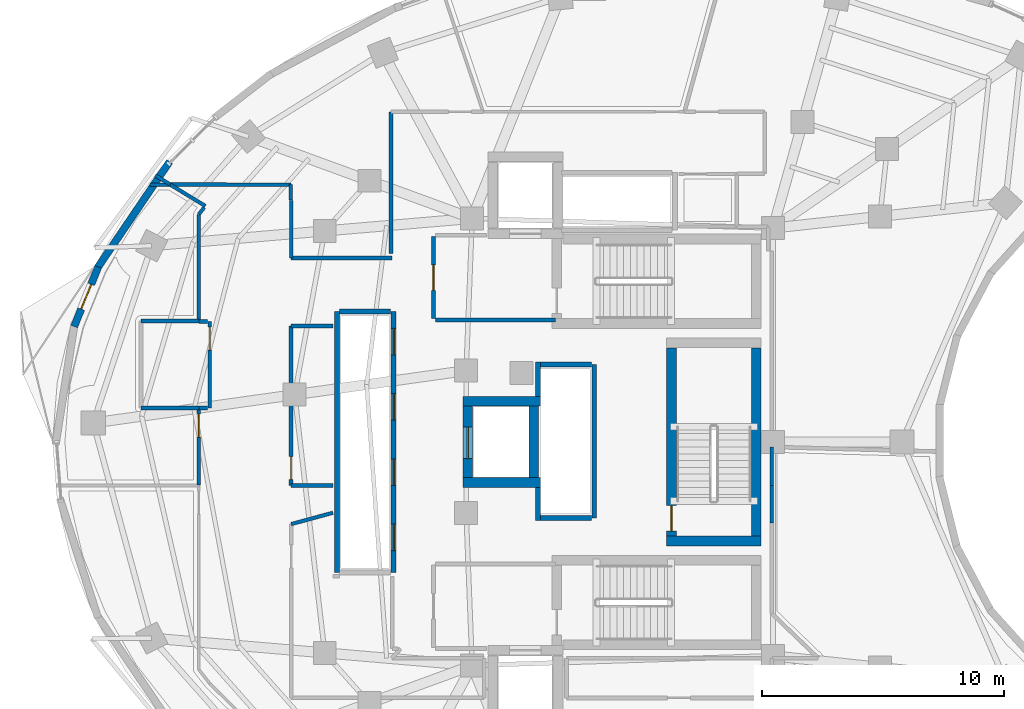
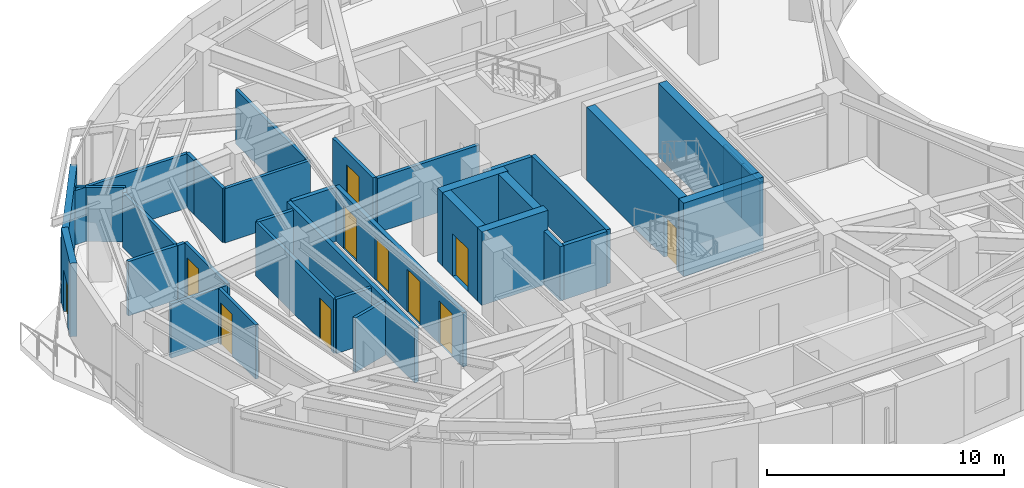
# One storey, part 8 of 13: 41 walls, 11 doors, 11 openings.
"""IFC4 building model written with IfcOpenShell, lengths in metres."""

from ifc_helpers import new_model, si_unit, direction, frame, frame_2d, origin, place, context, subcontext, project, spatial, rectangle, extrude, material, layer, layer_set, type_object, element, fill, save


model = new_model("IFC4")

# Units and contexts
model_context = context("Model", 3, precision=1e-05, world=origin(), true_north=direction((0.0, 1.0)))
body_context = subcontext(model_context, "Body", "Model", "MODEL_VIEW")
ifc_project = project(units=[si_unit("LENGTHUNIT", "METRE"), si_unit("AREAUNIT", "SQUARE_METRE"), si_unit("VOLUMEUNIT", "CUBIC_METRE"), si_unit("PLANEANGLEUNIT", "RADIAN"), si_unit("MASSUNIT", "GRAM", prefix="KILO")], contexts=[model_context])

# Site, building, storey
site_placement = place(None, origin())
site = spatial("IfcSite", under=ifc_project, at=site_placement, CompositionType="ELEMENT")
building_placement = place(site_placement, origin())
building = spatial("IfcBuilding", under=site, at=building_placement, Name="Korentha Bioscience Tower", CompositionType="ELEMENT")
storey_placement = place(building_placement, frame((0.0, 0.0, 162.60009765625)))
storey = spatial("IfcBuildingStorey", under=building, at=storey_placement, Name="L37", CompositionType="ELEMENT", Elevation=162.60009765625)

# Wall, opening, door
ifc_material_1 = material(Name="Double-Stud Acoustic Gypsum", Category="gypsum")
ifc_layer_1 = layer(ifc_material_1, 0.14990234375, Name="Double-Stud Acoustic Gypsum")
ifc_layer_set_1 = layer_set([ifc_layer_1], Name="Double-Stud Acoustic Gypsum (IW-L150)")
wall_type_1 = type_object("IfcWallType", Name="Acoustic Laboratory Partition Wall 150", PredefinedType="PARTITIONING", material=ifc_layer_set_1)
wall_1_placement = place(storey_placement, frame((13.7900390625, 28.389892578125, 0.0), z_axis=(0.0, 0.0, 1.0), x_axis=(0.0, -1.0, 0.0)))
wall_1 = element("IfcWall", 1, at=wall_1_placement, inside=storey, type_object=wall_type_1, Name="L37 Researchers' Wellness Quiet Room 11 Entrance Wall", PredefinedType="PARTITIONING", context=body_context, shape_type="SweptSolid", body=[
    extrude(rectangle(XDim=3.181884765625, YDim=0.14990234375, at=frame_2d((1.5908203125, 0.0))), origin(), (0.0, 0.0, 1.0), 2.7998046875),
])
opening_1_placement = place(wall_1_placement, frame((0.239990234375, 0.0, 0.0)))
opening_1 = element("IfcOpeningElement", 2, at=opening_1_placement, cuts=wall_1, Name="Opening ID-10R", PredefinedType="OPENING", context=body_context, shape_type="SweptSolid", body=[
    extrude(rectangle(XDim=0.949951171875, YDim=2.14990234375, at=frame_2d((0.47509765625, 1.074951171875))), frame((0.0, 0.08984375, 0.0), z_axis=(0.0, -1.0, 0.0), x_axis=(1.0, 0.0, 0.0)), (0.0, 0.0, 1.0), 0.1796875),
])
ifc_material_2 = material(Name="Phenolic Laminate Timber Core", Category="wood")
door_type_1 = type_object("IfcDoorType", Name="Laboratory Single Leaf Door 950x2150 Right", OperationType="SINGLE_SWING_RIGHT", PredefinedType="DOOR", material=ifc_material_2)
door_1_placement = place(opening_1_placement, origin())
door_1 = element("IfcDoor", 3, at=door_1_placement, inside=storey, type_object=door_type_1, Name="L37 Researchers' Wellness Quiet Room 11 Door", OperationType="SINGLE_SWING_RIGHT", OverallHeight=2.14990234375, OverallWidth=0.949951171875, PredefinedType="DOOR", context=body_context, shape_type="SweptSolid", body=[
    extrude(rectangle(XDim=0.949951171875, YDim=2.14990234375, at=frame_2d((0.47509765625, 1.074951171875))), frame((0.0, 0.02490234375, 0.0), z_axis=(0.0, -1.0, 0.0), x_axis=(1.0, 0.0, 0.0)), (0.0, 0.0, 1.0), 0.050048828125),
])
fill(opening_1, door_1)

# Walls
wall_2_placement = place(storey_placement, frame((17.610107421875, 23.598876953125, 0.0), z_axis=(0.0, 0.0, 1.0), x_axis=(0.96501483668, 0.262195280255, 0.0)))
element("IfcWall", 4, at=wall_2_placement, inside=storey, type_object=wall_type_1, Name="L37 Interior Partition 035", PredefinedType="PARTITIONING", context=body_context, shape_type="SweptSolid", body=[
    extrude(rectangle(XDim=1.79248046875, YDim=0.14990234375, at=frame_2d((0.896240234375, 0.0))), origin(), (0.0, 0.0, 1.0), 2.7998046875),
])
wall_3_placement = place(storey_placement, frame((37.501953125, 23.652099609375, 0.0), z_axis=(0.0, 0.0, 1.0), x_axis=(0.0, 1.0, 0.0)))
element("IfcWall", 5, at=wall_3_placement, inside=storey, type_object=wall_type_1, Name="L37 Interior Partition 052", PredefinedType="PARTITIONING", context=body_context, shape_type="SweptSolid", body=[
    extrude(rectangle(XDim=1.545654296875, YDim=0.14990234375, at=frame_2d((0.77294921875, 0.0))), origin(), (0.0, 0.0, 1.0), 2.7998046875),
])
wall_4_placement = place(storey_placement, frame((37.501953125, 25.2021484375, 0.0), z_axis=(0.0, 0.0, 1.0), x_axis=(0.0, 1.0, 0.0)))
element("IfcWall", 6, at=wall_4_placement, inside=storey, type_object=wall_type_1, Name="L37 Interior Partition 053", PredefinedType="PARTITIONING", context=body_context, shape_type="SweptSolid", body=[
    extrude(rectangle(XDim=1.58935546875, YDim=0.14990234375, at=frame_2d((0.794677734375, 0.0))), origin(), (0.0, 0.0, 1.0), 2.7998046875),
])
wall_5_placement = place(storey_placement, frame((21.739990234375, 40.64990234375, 0.0), z_axis=(0.0, 0.0, 1.0), x_axis=(0.0, -1.0, 0.0)))
element("IfcWall", 7, at=wall_5_placement, inside=storey, type_object=wall_type_1, Name="L37 Interior Partition 061", PredefinedType="PARTITIONING", context=body_context, shape_type="SweptSolid", body=[
    extrude(rectangle(XDim=5.849853515625, YDim=0.14990234375, at=frame_2d((2.9248046875, 0.0))), origin(), (0.0, 0.0, 1.0), 2.7998046875),
])
wall_6_placement = place(storey_placement, frame((21.7900390625, 34.610107421875, 0.0), z_axis=(0.0, 0.0, 1.0), x_axis=(-1.0, 0.0, 0.0)))
element("IfcWall", 8, at=wall_6_placement, inside=storey, type_object=wall_type_1, Name="L37 Interior Partition 062", PredefinedType="PARTITIONING", context=body_context, shape_type="SweptSolid", body=[
    extrude(rectangle(XDim=4.179931640625, YDim=0.14990234375, at=frame_2d((2.08984375, 0.0))), origin(), (0.0, 0.0, 1.0), 2.7998046875),
])
wall_7_placement = place(storey_placement, frame((17.610107421875, 34.610107421875, 0.0), z_axis=(0.0, 0.0, 1.0), x_axis=(0.0, 1.0, 0.0)))
element("IfcWall", 9, at=wall_7_placement, inside=storey, type_object=wall_type_1, Name="L37 Interior Partition 063", PredefinedType="PARTITIONING", context=body_context, shape_type="SweptSolid", body=[
    extrude(rectangle(XDim=2.389892578125, YDim=0.14990234375, at=frame_2d((1.19482421875, 0.0))), origin(), (0.0, 0.0, 1.0), 2.7998046875),
])
wall_8_placement = place(storey_placement, frame((17.60009765625, 37.010009765625, 0.0), z_axis=(0.0, 0.0, 1.0), x_axis=(0.0, 1.0, 0.0)))
element("IfcWall", 10, at=wall_8_placement, inside=storey, type_object=wall_type_1, Name="L37 Interior Partition 065", PredefinedType="PARTITIONING", context=body_context, shape_type="SweptSolid", body=[
    extrude(rectangle(XDim=0.637939453125, YDim=0.14990234375, at=frame_2d((0.31884765625, 0.0))), origin(), (0.0, 0.0, 1.0), 2.7998046875),
])
wall_9_placement = place(storey_placement, frame((17.60009765625, 37.64794921875, 0.0), z_axis=(0.0, 0.0, 1.0), x_axis=(-0.999999654811, 0.000830889254, 0.0)))
element("IfcWall", 11, at=wall_9_placement, inside=storey, type_object=wall_type_1, Name="L37 Interior Partition 066", PredefinedType="PARTITIONING", context=body_context, shape_type="SweptSolid", body=[
    extrude(rectangle(XDim=4.9951171875, YDim=0.14990234375, at=frame_2d((2.49755859375, 0.0))), origin(), (0.0, 0.0, 1.0), 2.7998046875),
])
wall_10_placement = place(storey_placement, frame((12.604736328125, 37.652099609375, 0.0), z_axis=(0.0, 0.0, 1.0), x_axis=(-0.854460039547, 0.519517122737, 0.0)))
element("IfcWall", 12, at=wall_10_placement, inside=storey, type_object=wall_type_1, Name="L37 Interior Partition 067", PredefinedType="PARTITIONING", context=body_context, shape_type="SweptSolid", body=[
    extrude(rectangle(XDim=0.720947265625, YDim=0.14990234375, at=frame_2d((0.3603515625, 0.0))), origin(), (0.0, 0.0, 1.0), 2.7998046875),
])
wall_11_placement = place(storey_placement, frame((11.762939453125, 37.64794921875, 0.0), z_axis=(0.0, 0.0, 1.0), x_axis=(1.0, 0.0, 0.0)))
element("IfcWall", 13, at=wall_11_placement, inside=storey, type_object=wall_type_1, Name="L37 Interior Partition 068", PredefinedType="PARTITIONING", context=body_context, shape_type="SweptSolid", body=[
    extrude(rectangle(XDim=0.8291015625, YDim=0.14990234375, at=frame_2d((0.41455078125, 0.0))), origin(), (0.0, 0.0, 1.0), 2.7998046875),
])
wall_12_placement = place(storey_placement, frame((12.613525390625, 37.64208984375, 0.0), z_axis=(0.0, 0.0, 1.0), x_axis=(0.854432700604, -0.519562084971, 0.0)))
element("IfcWall", 14, at=wall_12_placement, inside=storey, type_object=wall_type_1, Name="L37 Interior Partition 069", PredefinedType="PARTITIONING", context=body_context, shape_type="SweptSolid", body=[
    extrude(rectangle(XDim=1.690673828125, YDim=0.14990234375, at=frame_2d((0.84521484375, 0.0))), origin(), (0.0, 0.0, 1.0), 2.7998046875),
])
wall_13_placement = place(storey_placement, frame((14.009521484375, 36.701904296875, 0.0), z_axis=(0.0, 0.0, 1.0), x_axis=(-0.615804973601, -0.787898619423, 0.0)))
element("IfcWall", 15, at=wall_13_placement, inside=storey, type_object=wall_type_1, Name="L37 Interior Partition 070", PredefinedType="PARTITIONING", context=body_context, shape_type="SweptSolid", body=[
    extrude(rectangle(XDim=0.353271484375, YDim=0.14990234375, at=frame_2d((0.1767578125, 0.0))), origin(), (0.0, 0.0, 1.0), 2.7998046875),
])
wall_14_placement = place(storey_placement, frame((13.7900390625, 36.41748046875, 0.0), z_axis=(0.0, 0.0, 1.0), x_axis=(0.0, -1.0, 0.0)))
element("IfcWall", 16, at=wall_14_placement, inside=storey, type_object=wall_type_1, Name="L37 Interior Partition 071", PredefinedType="PARTITIONING", context=body_context, shape_type="SweptSolid", body=[
    extrude(rectangle(XDim=4.407470703125, YDim=0.14990234375, at=frame_2d((2.20361328125, 0.0))), origin(), (0.0, 0.0, 1.0), 2.7998046875),
])

# Wall, opening, door
ifc_material_3 = material(Name="Gypsum-Clad Steel Stud", Category="steel")
ifc_layer_2 = layer(ifc_material_3, 0.159912109375, Name="Gypsum-Clad Steel Stud")
ifc_layer_set_2 = layer_set([ifc_layer_2], Name="Gypsum-Clad Steel Stud (IW-C160)")
wall_type_2 = type_object("IfcWallType", Name="Fire-Rated Corridor Partition Wall 160", PredefinedType="PARTITIONING", material=ifc_layer_set_2)
wall_15_placement = place(storey_placement, frame((23.5, 32.10009765625, 0.0), z_axis=(0.0, 0.0, 1.0), x_axis=(0.0, 1.0, 0.0)))
wall_15 = element("IfcWall", 17, at=wall_15_placement, inside=storey, type_object=wall_type_2, Name="L37 FFLN-CW Rated Enclosure Wall", PredefinedType="PARTITIONING", context=body_context, shape_type="SweptSolid", body=[
    extrude(rectangle(XDim=3.39990234375, YDim=0.159912109375, at=frame_2d((1.699951171875, 0.0))), origin(), (0.0, 0.0, 1.0), 2.7998046875),
])
opening_2_placement = place(wall_15_placement, frame((1.175048828125, 0.0, 0.0)))
opening_2 = element("IfcOpeningElement", 18, at=opening_2_placement, cuts=wall_15, Name="Opening FD-90R", PredefinedType="OPENING", context=body_context, shape_type="SweptSolid", body=[
    extrude(rectangle(XDim=1.050048828125, YDim=2.14990234375, at=frame_2d((0.52490234375, 1.074951171875))), frame((0.0, 0.0947265625, 0.0), z_axis=(0.0, -1.0, 0.0), x_axis=(1.0, 0.0, 0.0)), (0.0, 0.0, 1.0), 0.189697265625),
])
ifc_material_4 = material(Name="Powder-Coated Fire-Rated Steel", Category="steel")
door_type_2 = type_object("IfcDoorType", Name="Stairwell Fire Exit Door 1050x2150 Right", OperationType="SINGLE_SWING_RIGHT", PredefinedType="DOOR", material=ifc_material_4)
door_2_placement = place(opening_2_placement, origin())
door_2 = element("IfcDoor", 19, at=door_2_placement, inside=storey, type_object=door_type_2, Name="L37 North Firefighting Lobby Door", OperationType="SINGLE_SWING_RIGHT", OverallHeight=2.14990234375, OverallWidth=1.050048828125, PredefinedType="DOOR", context=body_context, shape_type="SweptSolid", body=[
    extrude(rectangle(XDim=1.050048828125, YDim=2.14990234375, at=frame_2d((0.52490234375, 1.074951171875))), frame((0.0, 0.02490234375, 0.0), z_axis=(0.0, -1.0, 0.0), x_axis=(1.0, 0.0, 0.0)), (0.0, 0.0, 1.0), 0.050048828125),
])
fill(opening_2, door_2)

# Wall
wall_16_placement = place(storey_placement, frame((23.580078125, 32.050048828125, 0.0), z_axis=(0.0, 0.0, 1.0), x_axis=(1.0, 0.0, 0.0)))
element("IfcWall", 20, at=wall_16_placement, inside=storey, type_object=wall_type_2, Name="L37 Firefighting Lobby Return Wall FFLN-S", PredefinedType="PARTITIONING", context=body_context, shape_type="SweptSolid", body=[
    extrude(rectangle(XDim=4.969970703125, YDim=0.159912109375, at=frame_2d((2.48486328125, 0.0))), origin(), (0.0, 0.0, 1.0), 2.7998046875),
])

# Wall, opening, door
wall_17_placement = place(storey_placement, frame((14.239990234375, 31.989990234375, 0.0), z_axis=(0.0, 0.0, 1.0), x_axis=(0.0, -1.0, 0.0)))
wall_17 = element("IfcWall", 21, at=wall_17_placement, inside=storey, type_object=wall_type_2, Name="L37 Reclaimed Bank-1 North Data Closet Entrance Wall", PredefinedType="PARTITIONING", context=body_context, shape_type="SweptSolid", body=[
    extrude(rectangle(XDim=3.580078125, YDim=0.159912109375, at=frame_2d((1.7900390625, 0.0))), origin(), (0.0, 0.0, 1.0), 2.7998046875),
])
opening_3_placement = place(wall_17_placement, frame((0.239990234375, 0.0, 0.0)))
opening_3 = element("IfcOpeningElement", 22, at=opening_3_placement, cuts=wall_17, Name="Opening ID-10L", PredefinedType="OPENING", context=body_context, shape_type="SweptSolid", body=[
    extrude(rectangle(XDim=0.949951171875, YDim=2.14990234375, at=frame_2d((0.47509765625, 1.074951171875))), frame((0.0, 0.0947265625, 0.0), z_axis=(0.0, -1.0, 0.0), x_axis=(1.0, 0.0, 0.0)), (0.0, 0.0, 1.0), 0.189697265625),
])
door_type_3 = type_object("IfcDoorType", Name="Laboratory Single Leaf Door 950x2150 Left", OperationType="SINGLE_SWING_LEFT", PredefinedType="DOOR", material=ifc_material_2)
door_3_placement = place(opening_3_placement, origin())
door_3 = element("IfcDoor", 23, at=door_3_placement, inside=storey, type_object=door_type_3, Name="L37 Reclaimed Bank-1 North Data Closet Door", OperationType="SINGLE_SWING_LEFT", OverallHeight=2.14990234375, OverallWidth=0.949951171875, PredefinedType="DOOR", context=body_context, shape_type="SweptSolid", body=[
    extrude(rectangle(XDim=0.949951171875, YDim=2.14990234375, at=frame_2d((0.47509765625, 1.074951171875))), frame((0.0, 0.02490234375, 0.0), z_axis=(0.0, -1.0, 0.0), x_axis=(1.0, 0.0, 0.0)), (0.0, 0.0, 1.0), 0.050048828125),
])
fill(opening_3, door_3)

wall_18_placement = place(storey_placement, frame((17.610107421875, 25.201904296875, 0.0), z_axis=(0.0, 0.0, 1.0), x_axis=(0.0, 1.0, 0.0)))
wall_18 = element("IfcWall", 24, at=wall_18_placement, inside=storey, type_object=wall_type_2, Name="L37 Cryogenic Dewar Supply Store 12 Entrance Wall", PredefinedType="PARTITIONING", context=body_context, shape_type="SweptSolid", body=[
    extrude(rectangle(XDim=6.588134765625, YDim=0.159912109375, at=frame_2d((3.2939453125, 0.0))), origin(), (0.0, 0.0, 1.0), 2.7998046875),
])
opening_4_placement = place(wall_18_placement, frame((0.239990234375, 0.0, 0.0)))
opening_4 = element("IfcOpeningElement", 25, at=opening_4_placement, cuts=wall_18, Name="Opening ID-10L", PredefinedType="OPENING", context=body_context, shape_type="SweptSolid", body=[
    extrude(rectangle(XDim=0.949951171875, YDim=2.14990234375, at=frame_2d((0.47509765625, 1.074951171875))), frame((0.0, 0.0947265625, 0.0), z_axis=(0.0, -1.0, 0.0), x_axis=(1.0, 0.0, 0.0)), (0.0, 0.0, 1.0), 0.189697265625),
])
door_4_placement = place(opening_4_placement, origin())
door_4 = element("IfcDoor", 26, at=door_4_placement, inside=storey, type_object=door_type_3, Name="L37 Cryogenic Dewar Supply Store 12 Door", OperationType="SINGLE_SWING_LEFT", OverallHeight=2.14990234375, OverallWidth=0.949951171875, PredefinedType="DOOR", context=body_context, shape_type="SweptSolid", body=[
    extrude(rectangle(XDim=0.949951171875, YDim=2.14990234375, at=frame_2d((0.47509765625, 1.074951171875))), frame((0.0, 0.02490234375, 0.0), z_axis=(0.0, -1.0, 0.0), x_axis=(1.0, 0.0, 0.0)), (0.0, 0.0, 1.0), 0.050048828125),
])
fill(opening_4, door_4)

# Walls
for number, where, z_axis, x_axis, name in (
    (27, (13.800048828125, 31.989990234375, 0.0), (0.0, 0.0, 1.0), (1.0, 0.0, 0.0), "L37 Interior Partition 017"),
    (28, (14.156982421875, 28.409912109375, 0.0), (0.0, 0.0, 1.0), (-1.0, 0.0, 0.0), "L37 Interior Partition 018"),
):
    element("IfcWall", number, at=place(storey_placement, frame(where, z_axis=z_axis, x_axis=x_axis)), inside=storey, type_object=wall_type_2, Name=name, PredefinedType="PARTITIONING", context=body_context, shape_type="SweptSolid", body=[
        extrude(rectangle(XDim=0.35693359375, YDim=0.159912109375, at=frame_2d((0.178466796875, 0.0))), origin(), (0.0, 0.0, 1.0), 2.7998046875),
    ])
for number, where, z_axis, x_axis, name in (
    (29, (13.7900390625, 28.39990234375, 0.0), (0.0, 0.0, 1.0), (-1.0, 0.0, 0.0), "L37 Interior Partition 019"),
    (30, (11.39990234375, 32.0, 0.0), (0.0, 0.0, 1.0), (1.0, 0.0, 0.0), "L37 Interior Partition 021"),
):
    element("IfcWall", number, at=place(storey_placement, frame(where, z_axis=z_axis, x_axis=x_axis)), inside=storey, type_object=wall_type_2, Name=name, PredefinedType="PARTITIONING", context=body_context, shape_type="SweptSolid", body=[
        extrude(rectangle(XDim=2.39013671875, YDim=0.159912109375, at=frame_2d((1.195068359375, 0.0))), origin(), (0.0, 0.0, 1.0), 2.7998046875),
    ])
for number, where, z_axis, x_axis, name in (
    (31, (19.340087890625, 25.201904296875, 0.0), (0.0, 0.0, 1.0), (-1.0, 0.0, 0.0), "L37 Interior Partition 072"),
    (32, (17.610107421875, 31.7900390625, 0.0), (0.0, 0.0, 1.0), (1.0, 0.0, 0.0), "L37 Interior Partition 073"),
):
    element("IfcWall", number, at=place(storey_placement, frame(where, z_axis=z_axis, x_axis=x_axis)), inside=storey, type_object=wall_type_2, Name=name, PredefinedType="PARTITIONING", context=body_context, shape_type="SweptSolid", body=[
        extrude(rectangle(XDim=1.72998046875, YDim=0.159912109375, at=frame_2d((0.864990234375, 0.0))), origin(), (0.0, 0.0, 1.0), 2.7998046875),
    ])

# Wall, opening, door
ifc_material_5 = material(Name="Honed Limestone Precast Concrete C40", Category="masonry")
ifc_layer_3 = layer(ifc_material_5, 0.300048828125, Name="Honed Limestone Precast Concrete C40")
ifc_layer_set_3 = layer_set([ifc_layer_3], Name="Honed Limestone Precast Concrete C40 (EW-ST300)")
wall_type_3 = type_object("IfcWallType", Name="Honed Limestone Cavity Spandrel Wall 300", PredefinedType="STANDARD", material=ifc_layer_set_3)
wall_19_placement = place(storey_placement, frame((9.625732421875, 34.2421875, 0.0), z_axis=(0.0, 0.0, 1.0), x_axis=(-0.373983610438, -0.927435312636, 0.0)))
wall_19 = element("IfcWall", 33, at=wall_19_placement, inside=storey, type_object=wall_type_3, Name="L37 Balcony Threshold Wall 02", PredefinedType="STANDARD", context=body_context, shape_type="SweptSolid", body=[
    extrude(rectangle(XDim=2.660888671875, YDim=0.300048828125, at=frame_2d((1.33056640625, 0.0))), origin(), (0.0, 0.0, 1.0), 3.789794921875),
])
opening_5_placement = place(wall_19_placement, frame((0.780517578125, 0.0, 0.0)))
opening_5 = element("IfcOpeningElement", 34, at=opening_5_placement, cuts=wall_19, Name="Opening BD-11R", PredefinedType="OPENING", context=body_context, shape_type="SweptSolid", body=[
    extrude(rectangle(XDim=1.10009765625, YDim=2.14990234375, at=frame_2d((0.550048828125, 1.074951171875))), frame((0.0, 0.1650390625, 0.0), z_axis=(0.0, -1.0, 0.0), x_axis=(1.0, 0.0, 0.0)), (0.0, 0.0, 1.0), 0.329833984375),
])
ifc_material_6 = material(Name="Thermally Broken Glazed Aluminium", Category="aluminium")
door_type_4 = type_object("IfcDoorType", Name="Balcony Terrace Glazed Door 1100x2150 Right", OperationType="SINGLE_SWING_RIGHT", PredefinedType="DOOR", material=ifc_material_6)
door_5_placement = place(opening_5_placement, origin())
door_5 = element("IfcDoor", 35, at=door_5_placement, inside=storey, type_object=door_type_4, Name="L37 Balcony Access Door 02", OperationType="SINGLE_SWING_RIGHT", OverallHeight=2.14990234375, OverallWidth=1.10009765625, PredefinedType="DOOR", context=body_context, shape_type="SweptSolid", body=[
    extrude(rectangle(XDim=1.10009765625, YDim=2.14990234375, at=frame_2d((0.550048828125, 1.074951171875))), frame((0.0, 0.02490234375, 0.0), z_axis=(0.0, -1.0, 0.0), x_axis=(1.0, 0.0, 0.0)), (0.0, 0.0, 1.0), 0.050048828125),
])
fill(opening_5, door_5)

# Walls
wall_20_placement = place(storey_placement, frame((12.580078125, 38.6005859375, 0.0), z_axis=(0.0, 0.0, 1.0), x_axis=(-0.561663900064, -0.827365495634, 0.0)))
element("IfcWall", 36, at=wall_20_placement, inside=storey, type_object=wall_type_3, Name="L37 Limestone Perimeter Closure Wall 14", PredefinedType="STANDARD", context=body_context, shape_type="SweptSolid", body=[
    extrude(rectangle(XDim=5.437744140625, YDim=0.300048828125, at=frame_2d((2.71875, 0.0))), origin(), (0.0, 0.0, 1.0), 3.35986328125),
])
ifc_material_7 = material(Name="Autoclaved Aerated Concrete Block C25", Category="concrete")
ifc_layer_4 = layer(ifc_material_7, 0.199951171875, Name="Autoclaved Aerated Concrete Block C25")
ifc_layer_set_4 = layer_set([ifc_layer_4], Name="Autoclaved Aerated Concrete Block C25 (IW-S200)")
wall_type_4 = type_object("IfcWallType", Name="Lift and Riser Shaft Enclosure Wall 200", PredefinedType="PARTITIONING", material=ifc_layer_set_4)
wall_21_placement = place(storey_placement, frame((19.5, 21.60009765625, 0.0), z_axis=(0.0, 0.0, 1.0), x_axis=(0.0, 1.0, 0.0)))
element("IfcWall", 37, at=wall_21_placement, inside=storey, type_object=wall_type_4, Name="L37 Lift Bank MID Shaft Wall -X", PredefinedType="PARTITIONING", context=body_context, shape_type="SweptSolid", body=[
    extrude(rectangle(XDim=10.7998046875, YDim=0.199951171875, at=frame_2d((5.39990234375, 0.0))), origin(), (0.0, 0.0, 1.0), 2.7998046875),
])

# Wall, openings, doors
wall_22_placement = place(storey_placement, frame((21.85009765625, 21.60009765625, 0.0), z_axis=(0.0, 0.0, 1.0), x_axis=(0.0, 1.0, 0.0)))
wall_22 = element("IfcWall", 38, at=wall_22_placement, inside=storey, type_object=wall_type_4, Name="L37 Lift Bank MID Shaft Wall +X", PredefinedType="PARTITIONING", context=body_context, shape_type="SweptSolid", body=[
    extrude(rectangle(XDim=10.7998046875, YDim=0.199951171875, at=frame_2d((5.39990234375, 0.0))), origin(), (0.0, 0.0, 1.0), 2.7998046875),
])
opening_6_placement = place(wall_22_placement, frame((0.89990234375, 0.0, 0.0)))
opening_6 = element("IfcOpeningElement", 39, at=opening_6_placement, cuts=wall_22, Name="Opening LD-11", PredefinedType="OPENING", context=body_context, shape_type="SweptSolid", body=[
    extrude(rectangle(XDim=1.10009765625, YDim=2.199951171875, at=frame_2d((0.550048828125, 1.10009765625))), frame((0.0, 0.11474609375, 0.0), z_axis=(0.0, -1.0, 0.0), x_axis=(1.0, 0.0, 0.0)), (0.0, 0.0, 1.0), 0.229736328125),
])
opening_7_placement = place(wall_22_placement, frame((3.60009765625, 0.0, 0.0)))
opening_7 = element("IfcOpeningElement", 40, at=opening_7_placement, cuts=wall_22, Name="Opening LD-11", PredefinedType="OPENING", context=body_context, shape_type="SweptSolid", body=[
    extrude(rectangle(XDim=1.10009765625, YDim=2.199951171875, at=frame_2d((0.550048828125, 1.10009765625))), frame((0.0, 0.11474609375, 0.0), z_axis=(0.0, -1.0, 0.0), x_axis=(1.0, 0.0, 0.0)), (0.0, 0.0, 1.0), 0.229736328125),
])
opening_8_placement = place(wall_22_placement, frame((6.300048828125, 0.0, 0.0)))
opening_8 = element("IfcOpeningElement", 41, at=opening_8_placement, cuts=wall_22, Name="Opening LD-11", PredefinedType="OPENING", context=body_context, shape_type="SweptSolid", body=[
    extrude(rectangle(XDim=1.10009765625, YDim=2.199951171875, at=frame_2d((0.550048828125, 1.10009765625))), frame((0.0, 0.11474609375, 0.0), z_axis=(0.0, -1.0, 0.0), x_axis=(1.0, 0.0, 0.0)), (0.0, 0.0, 1.0), 0.229736328125),
])
opening_9_placement = place(wall_22_placement, frame((9.0, 0.0, 0.0)))
opening_9 = element("IfcOpeningElement", 42, at=opening_9_placement, cuts=wall_22, Name="Opening LD-11", PredefinedType="OPENING", context=body_context, shape_type="SweptSolid", body=[
    extrude(rectangle(XDim=1.10009765625, YDim=2.199951171875, at=frame_2d((0.550048828125, 1.10009765625))), frame((0.0, 0.11474609375, 0.0), z_axis=(0.0, -1.0, 0.0), x_axis=(1.0, 0.0, 0.0)), (0.0, 0.0, 1.0), 0.229736328125),
])
ifc_material_8 = material(Name="Brushed Stainless Steel 304", Category="steel")
door_type_5 = type_object("IfcDoorType", Name="Passenger Lift Sliding Landing Door 1100x2200", OperationType="DOUBLE_DOOR_SLIDING", PredefinedType="DOOR", material=ifc_material_8)
door_6_placement = place(opening_6_placement, origin())
door_6 = element("IfcDoor", 43, at=door_6_placement, inside=storey, type_object=door_type_5, Name="L37 PL-M1 Sliding Lift Landing Door", OperationType="DOUBLE_DOOR_SLIDING", OverallHeight=2.199951171875, OverallWidth=1.10009765625, PredefinedType="DOOR", context=body_context, shape_type="SweptSolid", body=[
    extrude(rectangle(XDim=1.10009765625, YDim=2.199951171875, at=frame_2d((0.550048828125, 1.10009765625))), frame((0.0, 0.02490234375, 0.0), z_axis=(0.0, -1.0, 0.0), x_axis=(1.0, 0.0, 0.0)), (0.0, 0.0, 1.0), 0.050048828125),
])
fill(opening_6, door_6)
door_7_placement = place(opening_7_placement, origin())
door_7 = element("IfcDoor", 44, at=door_7_placement, inside=storey, type_object=door_type_5, Name="L37 PL-M2 Sliding Lift Landing Door", OperationType="DOUBLE_DOOR_SLIDING", OverallHeight=2.199951171875, OverallWidth=1.10009765625, PredefinedType="DOOR", context=body_context, shape_type="SweptSolid", body=[
    extrude(rectangle(XDim=1.10009765625, YDim=2.199951171875, at=frame_2d((0.550048828125, 1.10009765625))), frame((0.0, 0.02490234375, 0.0), z_axis=(0.0, -1.0, 0.0), x_axis=(1.0, 0.0, 0.0)), (0.0, 0.0, 1.0), 0.050048828125),
])
fill(opening_7, door_7)
door_8_placement = place(opening_8_placement, origin())
door_8 = element("IfcDoor", 45, at=door_8_placement, inside=storey, type_object=door_type_5, Name="L37 PL-M3 Sliding Lift Landing Door", OperationType="DOUBLE_DOOR_SLIDING", OverallHeight=2.199951171875, OverallWidth=1.10009765625, PredefinedType="DOOR", context=body_context, shape_type="SweptSolid", body=[
    extrude(rectangle(XDim=1.10009765625, YDim=2.199951171875, at=frame_2d((0.550048828125, 1.10009765625))), frame((0.0, 0.02490234375, 0.0), z_axis=(0.0, -1.0, 0.0), x_axis=(1.0, 0.0, 0.0)), (0.0, 0.0, 1.0), 0.050048828125),
])
fill(opening_8, door_8)
door_9_placement = place(opening_9_placement, origin())
door_9 = element("IfcDoor", 46, at=door_9_placement, inside=storey, type_object=door_type_5, Name="L37 PL-M4 Sliding Lift Landing Door", OperationType="DOUBLE_DOOR_SLIDING", OverallHeight=2.199951171875, OverallWidth=1.10009765625, PredefinedType="DOOR", context=body_context, shape_type="SweptSolid", body=[
    extrude(rectangle(XDim=1.10009765625, YDim=2.199951171875, at=frame_2d((0.550048828125, 1.10009765625))), frame((0.0, 0.02490234375, 0.0), z_axis=(0.0, -1.0, 0.0), x_axis=(1.0, 0.0, 0.0)), (0.0, 0.0, 1.0), 0.050048828125),
])
fill(opening_9, door_9)

# Walls
wall_23_placement = place(storey_placement, frame((19.6201171875, 32.39990234375, 0.0), z_axis=(0.0, 0.0, 1.0), x_axis=(1.0, 0.0, 0.0)))
element("IfcWall", 47, at=wall_23_placement, inside=storey, type_object=wall_type_4, Name="L37 Lift Bank MID Shaft Wall +Y", PredefinedType="PARTITIONING", context=body_context, shape_type="SweptSolid", body=[
    extrude(rectangle(XDim=2.10986328125, YDim=0.199951171875, at=frame_2d((1.054931640625, 0.0))), origin(), (0.0, 0.0, 1.0), 2.7998046875),
])
wall_24_placement = place(storey_placement, frame((27.830078125, 23.75, 0.0), z_axis=(0.0, 0.0, 1.0), x_axis=(0.0, 1.0, 0.0)))
element("IfcWall", 48, at=wall_24_placement, inside=storey, type_object=wall_type_4, Name="L37 Lift Bank HIGH Shaft Wall -XS", PredefinedType="PARTITIONING", context=body_context, shape_type="SweptSolid", body=[
    extrude(rectangle(XDim=1.365966796875, YDim=0.199951171875, at=frame_2d((0.68310546875, 0.0))), origin(), (0.0, 0.0, 1.0), 2.7998046875),
])
wall_25_placement = place(storey_placement, frame((27.830078125, 28.884033203125, 0.0), z_axis=(0.0, 0.0, 1.0), x_axis=(0.0, 1.0, 0.0)))
element("IfcWall", 49, at=wall_25_placement, inside=storey, type_object=wall_type_4, Name="L37 Lift Bank HIGH Shaft Wall -XN", PredefinedType="PARTITIONING", context=body_context, shape_type="SweptSolid", body=[
    extrude(rectangle(XDim=1.416015625, YDim=0.199951171875, at=frame_2d((0.7080078125, 0.0))), origin(), (0.0, 0.0, 1.0), 2.7998046875),
])
wall_26_placement = place(storey_placement, frame((30.14990234375, 23.85009765625, 0.0), z_axis=(0.0, 0.0, 1.0), x_axis=(0.0, 1.0, 0.0)))
element("IfcWall", 50, at=wall_26_placement, inside=storey, type_object=wall_type_4, Name="L37 Lift Bank HIGH Shaft Wall +X", PredefinedType="PARTITIONING", context=body_context, shape_type="SweptSolid", body=[
    extrude(rectangle(XDim=6.349853515625, YDim=0.199951171875, at=frame_2d((3.1748046875, 0.0))), origin(), (0.0, 0.0, 1.0), 2.7998046875),
])
for number, where, z_axis, x_axis, name in (
    (51, (27.93408203125, 23.85009765625, 0.0), (0.0, 0.0, 1.0), (1.0, 0.0, 0.0), "L37 Lift Bank HIGH Shaft Wall -Y"),
    (52, (27.93408203125, 30.199951171875, 0.0), (0.0, 0.0, 1.0), (1.0, 0.0, 0.0), "L37 Lift Bank HIGH Shaft Wall +Y"),
):
    element("IfcWall", number, at=place(storey_placement, frame(where, z_axis=z_axis, x_axis=x_axis)), inside=storey, type_object=wall_type_4, Name=name, PredefinedType="PARTITIONING", context=body_context, shape_type="SweptSolid", body=[
        extrude(rectangle(XDim=2.095947265625, YDim=0.199951171875, at=frame_2d((1.0478515625, 0.0))), origin(), (0.0, 0.0, 1.0), 2.7998046875),
    ])
ifc_material_9 = material(Name="Concrete C65", Category="concrete")
ifc_layer_5 = layer(ifc_material_9, 0.39990234375, Name="Concrete C65")
ifc_layer_set_5 = layer_set([ifc_layer_5], Name="Concrete C65 (CW-C65)")
wall_type_5 = type_object("IfcWallType", Name="Mid-Rise Core Shear Wall 400", PredefinedType="SHEAR", material=ifc_layer_set_5)
wall_27_placement = place(storey_placement, frame((33.14990234375, 22.89990234375, 0.0), z_axis=(0.0, 0.0, 1.0), x_axis=(1.0, 0.0, 0.0)))
element("IfcWall", 53, at=wall_27_placement, inside=storey, type_object=wall_type_5, Name="L37 Core Shear Wall ST3-S", PredefinedType="SHEAR", context=body_context, shape_type="SweptSolid", body=[
    extrude(rectangle(XDim=3.900146484375, YDim=0.39990234375, at=frame_2d((1.9501953125, 0.0))), origin(), (0.0, 0.0, 1.0), 3.789794921875),
])
wall_28_placement = place(storey_placement, frame((36.85009765625, 23.110107421875, 0.0), z_axis=(0.0, 0.0, 1.0), x_axis=(0.0, 1.0, 0.0)))
element("IfcWall", 54, at=wall_28_placement, inside=storey, type_object=wall_type_5, Name="L37 Core Shear Wall ST3-E", PredefinedType="SHEAR", context=body_context, shape_type="SweptSolid", body=[
    extrude(rectangle(XDim=7.77978515625, YDim=0.39990234375, at=frame_2d((3.889892578125, 0.0))), origin(), (0.0, 0.0, 1.0), 3.789794921875),
])

# Wall, opening, door
wall_29_placement = place(storey_placement, frame((33.35009765625, 23.110107421875, 0.0), z_axis=(0.0, 0.0, 1.0), x_axis=(0.0, 1.0, 0.0)))
wall_29 = element("IfcWall", 55, at=wall_29_placement, inside=storey, type_object=wall_type_5, Name="L37 Core Shear Wall ST3-W", PredefinedType="SHEAR", context=body_context, shape_type="SweptSolid", body=[
    extrude(rectangle(XDim=7.77978515625, YDim=0.39990234375, at=frame_2d((3.889892578125, 0.0))), origin(), (0.0, 0.0, 1.0), 3.789794921875),
])
opening_10_placement = place(wall_29_placement, frame((0.199951171875, 0.0, 0.0)))
opening_10 = element("IfcOpeningElement", 56, at=opening_10_placement, cuts=wall_29, Name="Opening FD-90R", PredefinedType="OPENING", context=body_context, shape_type="SweptSolid", body=[
    extrude(rectangle(XDim=1.050048828125, YDim=2.14990234375, at=frame_2d((0.52490234375, 1.074951171875))), frame((0.0, 0.21484375, 0.0), z_axis=(0.0, -1.0, 0.0), x_axis=(1.0, 0.0, 0.0)), (0.0, 0.0, 1.0), 0.4296875),
])
door_10_placement = place(opening_10_placement, origin())
door_10 = element("IfcDoor", 57, at=door_10_placement, inside=storey, type_object=door_type_2, Name="L37 ST-3 Fire Exit Stair Door", OperationType="SINGLE_SWING_RIGHT", OverallHeight=2.14990234375, OverallWidth=1.050048828125, PredefinedType="DOOR", context=body_context, shape_type="SweptSolid", body=[
    extrude(rectangle(XDim=1.050048828125, YDim=2.14990234375, at=frame_2d((0.52490234375, 1.074951171875))), frame((0.0, 0.02490234375, 0.0), z_axis=(0.0, -1.0, 0.0), x_axis=(1.0, 0.0, 0.0)), (0.0, 0.0, 1.0), 0.050048828125),
])
fill(opening_10, door_10)

# Walls
for number, where, z_axis, x_axis, name in (
    (58, (24.719970703125, 28.679931640625, 0.0), (0.0, 0.0, 1.0), (1.0, 0.0, 0.0), "L37 Core Shear Wall SVL1-N"),
    (59, (24.719970703125, 25.320068359375, 0.0), (0.0, 0.0, 1.0), (1.0, 0.0, 0.0), "L37 Core Shear Wall SVL1-S"),
):
    element("IfcWall", number, at=place(storey_placement, frame(where, z_axis=z_axis, x_axis=x_axis)), inside=storey, type_object=wall_type_5, Name=name, PredefinedType="SHEAR", context=body_context, shape_type="SweptSolid", body=[
        extrude(rectangle(XDim=3.2099609375, YDim=0.39990234375, at=frame_2d((1.60498046875, 0.0))), origin(), (0.0, 0.0, 1.0), 3.789794921875),
    ])

# Wall, opening, door
wall_30_placement = place(storey_placement, frame((24.919921875, 25.52197265625, 0.0), z_axis=(0.0, 0.0, 1.0), x_axis=(0.0, 1.0, 0.0)))
wall_30 = element("IfcWall", 60, at=wall_30_placement, inside=storey, type_object=wall_type_5, Name="L37 Core Shear Wall SVL1-W", PredefinedType="SHEAR", context=body_context, shape_type="SweptSolid", body=[
    extrude(rectangle(XDim=2.9560546875, YDim=0.39990234375, at=frame_2d((1.47802734375, 0.0))), origin(), (0.0, 0.0, 1.0), 3.789794921875),
])
opening_11_placement = place(wall_30_placement, frame((0.7900390625, 0.0, 0.0)))
opening_11 = element("IfcOpeningElement", 61, at=opening_11_placement, cuts=wall_30, Name="Opening LD-13", PredefinedType="OPENING", context=body_context, shape_type="SweptSolid", body=[
    extrude(rectangle(XDim=1.300048828125, YDim=2.199951171875, at=frame_2d((0.64990234375, 1.10009765625))), frame((0.0, 0.21484375, 0.0), z_axis=(0.0, -1.0, 0.0), x_axis=(1.0, 0.0, 0.0)), (0.0, 0.0, 1.0), 0.4296875),
])
ifc_material_10 = material(Name="Brushed Stainless Steel 316", Category="steel")
door_type_6 = type_object("IfcDoorType", Name="Service & Firefighting Lift Landing Door 1300x2300", OperationType="DOUBLE_DOOR_SLIDING", PredefinedType="DOOR", material=ifc_material_10)
door_11_placement = place(opening_11_placement, origin())
door_11 = element("IfcDoor", 62, at=door_11_placement, inside=storey, type_object=door_type_6, Name="L37 SVL-1 Sliding Lift Landing Door", OperationType="DOUBLE_DOOR_SLIDING", OverallHeight=2.199951171875, OverallWidth=1.300048828125, PredefinedType="DOOR", context=body_context, shape_type="SweptSolid", body=[
    extrude(rectangle(XDim=1.300048828125, YDim=2.199951171875, at=frame_2d((0.64990234375, 1.10009765625))), frame((0.0, 0.02490234375, 0.0), z_axis=(0.0, -1.0, 0.0), x_axis=(1.0, 0.0, 0.0)), (0.0, 0.0, 1.0), 0.050048828125),
])
fill(opening_11, door_11)

# Wall
wall_31_placement = place(storey_placement, frame((27.64990234375, 25.52197265625, 0.0), z_axis=(0.0, 0.0, 1.0), x_axis=(0.0, 1.0, 0.0)))
element("IfcWall", 63, at=wall_31_placement, inside=storey, type_object=wall_type_5, Name="L37 Core Shear Wall SVL1-E", PredefinedType="SHEAR", context=body_context, shape_type="SweptSolid", body=[
    extrude(rectangle(XDim=2.9560546875, YDim=0.39990234375, at=frame_2d((1.47802734375, 0.0))), origin(), (0.0, 0.0, 1.0), 3.789794921875),
])

save(model, "model.ifc")
